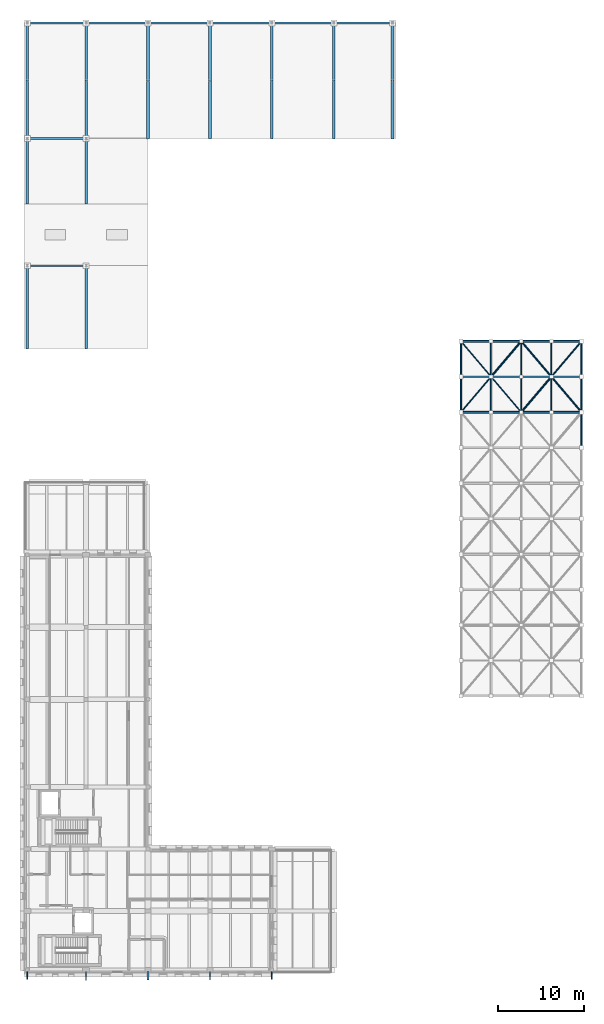
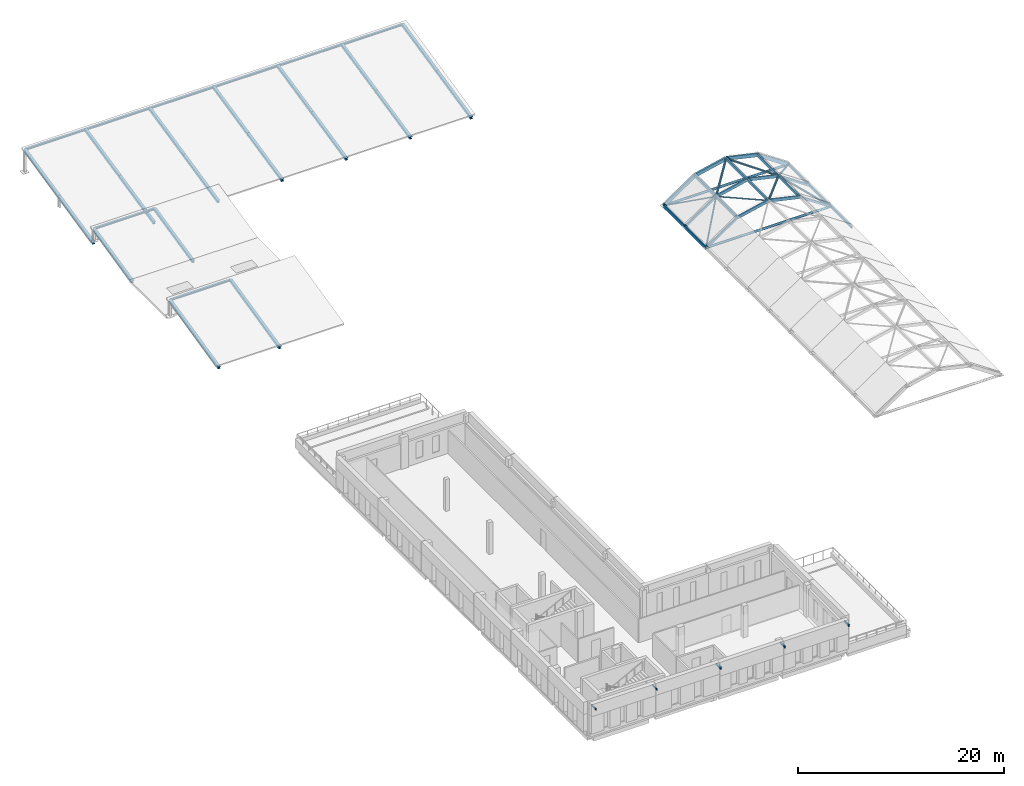
# One storey, part 7 of 15: 38 members, 26 beams.
"""IFC4 building model written with IfcOpenShell, lengths in metres."""

import ifcopenshell
import ifcopenshell.guid

model = None  # the IFC model being written
_history = None  # IfcOwnerHistory: only IFC2X3 demands one
_inside = {}  # id of a spatial element -> (the spatial element, [elements in it])
_under = {}  # id of a project, library or spatial element -> (it, [spatial elements below it])
_declared = {}  # id of a project -> (the project, [libraries it declares])
_typed = {}  # id of a type object -> (the type object, [elements of that type])
_made_of = {}  # id of a material, layer set ... -> (it, [elements and type objects made of it])


def new_model(schema):
    """Start an empty IFC model of exactly this schema.

    Asked for "IFC4X3", IfcOpenShell would pick the latest addendum, in which some entities
    have other attributes; the version numbers below select the first issue.
    IFC2X3 requires an IfcOwnerHistory on every rooted entity: one is made here for all.
    """
    global model, _history
    if schema == "IFC4X3":
        model = ifcopenshell.file(schema_version=(4, 3, 0, 0))
    else:
        model = ifcopenshell.file(schema=schema)
    _inside.clear()
    _under.clear()
    _declared.clear()
    _typed.clear()
    _made_of.clear()
    _history = None
    if model.schema == "IFC2X3":
        org = make("IfcOrganization", Name="unknown")
        user = make(
            "IfcPersonAndOrganization",
            ThePerson=make("IfcPerson", FamilyName="unknown"),
            TheOrganization=org,
        )
        app = make(
            "IfcApplication",
            ApplicationDeveloper=org,
            Version="unknown",
            ApplicationFullName="unknown",
            ApplicationIdentifier="unknown",
        )
        _history = make(
            "IfcOwnerHistory",
            OwningUser=user,
            OwningApplication=app,
            ChangeAction="ADDED",
            CreationDate=0,
        )
    return model


def make(cls, **values):
    """One entity of the class cls with the attributes given. An attribute that is None is left unset."""
    return model.create_entity(
        cls, **{name: value for name, value in values.items() if value is not None}
    )


def rooted(cls, **values):
    """An entity with a GlobalId (a new one), such as an element, a storey or a relation."""
    return make(cls, GlobalId=ifcopenshell.guid.new(), OwnerHistory=_history, **values)


def si_unit(unit_type, name, prefix=None):
    """IfcSIUnit, for example si_unit("LENGTHUNIT", "METRE", prefix="MILLI")."""
    return make("IfcSIUnit", UnitType=unit_type, Prefix=prefix, Name=name)


def assignment(units):
    """IfcUnitAssignment: the units of a project."""
    return None if units is None else make("IfcUnitAssignment", Units=units)


def point(xyz):
    """IfcCartesianPoint."""
    return None if xyz is None else make("IfcCartesianPoint", Coordinates=xyz)


def direction(xyz):
    """IfcDirection."""
    return None if xyz is None else make("IfcDirection", DirectionRatios=xyz)


def frame(location, z_axis=None, x_axis=None):
    """IfcAxis2Placement3D, a coordinate frame: its origin and axes. An axis left out is left unset."""
    return make(
        "IfcAxis2Placement3D",
        Location=point(location),
        Axis=direction(z_axis),
        RefDirection=direction(x_axis),
    )


def frame_2d(location, x_axis=None):
    """IfcAxis2Placement2D, a coordinate frame in the plane: its origin and x axis."""
    return make(
        "IfcAxis2Placement2D", Location=point(location), RefDirection=direction(x_axis)
    )


def origin():
    """The frame at (0, 0, 0) with its axes left unset."""
    return frame((0.0, 0.0, 0.0))


def origin_2d():
    """The frame at (0, 0) in the plane with its x axis left unset."""
    return frame_2d((0.0, 0.0))


def place(relative_to, where):
    """IfcLocalPlacement: puts the frame where relative to a parent placement (None: the world)."""
    return make(
        "IfcLocalPlacement", PlacementRelTo=relative_to, RelativePlacement=where
    )


def context(
    kind, dimensions, precision=None, world=None, true_north=None, identifier=None
):
    """IfcGeometricRepresentationContext, for example the 3D "Model" context."""
    return make(
        "IfcGeometricRepresentationContext",
        ContextIdentifier=identifier,
        ContextType=kind,
        CoordinateSpaceDimension=dimensions,
        Precision=precision,
        WorldCoordinateSystem=world,
        TrueNorth=true_north,
    )


def subcontext(parent, identifier, kind, view, scale=None):
    """IfcGeometricRepresentationSubContext, for example "Body" below "Model"."""
    return make(
        "IfcGeometricRepresentationSubContext",
        ContextIdentifier=identifier,
        ContextType=kind,
        ParentContext=parent,
        TargetScale=scale,
        TargetView=view,
    )


def project(units=None, contexts=None):
    """IfcProject with its units and contexts."""
    return rooted(
        "IfcProject",
        Name="project",
        RepresentationContexts=contexts,
        UnitsInContext=assignment(units),
    )


def spatial(cls, under=None, at=None, **own):
    """A site, building, storey or space (cls), placed at a placement, below another one or the project."""
    s = rooted(cls, ObjectPlacement=at, **own)
    if under is not None:
        _under.setdefault(under.id(), (under, []))[1].append(s)
    return s


def profile(cls, at=None, kind="AREA", **sizes):
    """A parametric profile (cls). Its sizes go by their IFC names, for example OverallWidth=200.0."""
    return make(cls, ProfileType=kind, Position=at, **sizes)


def rectangle(**sizes):
    """IfcRectangleProfileDef."""
    return profile("IfcRectangleProfileDef", **sizes)


def hollow_rectangle(**sizes):
    """IfcRectangleHollowProfileDef."""
    return profile("IfcRectangleHollowProfileDef", **sizes)


def hollow_circle(**sizes):
    """IfcCircleHollowProfileDef."""
    return profile("IfcCircleHollowProfileDef", **sizes)


def i_section(**sizes):
    """IfcIShapeProfileDef."""
    return profile("IfcIShapeProfileDef", **sizes)


def extrude(swept, where, along, depth):
    """IfcExtrudedAreaSolid: the profile swept, set in the frame where, extruded along a direction by depth."""
    return make(
        "IfcExtrudedAreaSolid",
        SweptArea=swept,
        Position=where,
        ExtrudedDirection=direction(along),
        Depth=depth,
    )


def shape(context_of_items, identifier, shape_type, items):
    """IfcShapeRepresentation: the items that make up one representation, for example the "Body"."""
    return make(
        "IfcShapeRepresentation",
        ContextOfItems=context_of_items,
        RepresentationIdentifier=identifier,
        RepresentationType=shape_type,
        Items=items,
    )


def material(Name=None, Category=None):
    """IfcMaterial."""
    return make("IfcMaterial", Name=Name, Category=Category)


def material_profile(
    of_material, cross_section, Name=None, Category=None, Priority=None
):
    """IfcMaterialProfile: a cross section and its material."""
    return make(
        "IfcMaterialProfile",
        Name=Name,
        Material=of_material,
        Profile=cross_section,
        Priority=Priority,
        Category=Category,
    )


def profile_set(profiles, Name=None, composite=None):
    """IfcMaterialProfileSet."""
    return make(
        "IfcMaterialProfileSet",
        Name=Name,
        MaterialProfiles=profiles,
        CompositeProfile=composite,
    )


def made_of(thing, what):
    """Note that an element or type object is made of a material, layer set ...; save() writes the relation."""
    if what is not None:
        _made_of.setdefault(what.id(), (what, []))[1].append(thing)
    return thing


def type_object(cls, material=None, **own):
    """A type object (cls), such as IfcWallType, which elements share."""
    return made_of(rooted(cls, **own), material)


def element(
    cls,
    number,
    at=None,
    inside=None,
    cuts=None,
    type_object=None,
    material=None,
    context=None,
    identifier="Body",
    shape_type=None,
    held_by="IfcProductDefinitionShape",
    body=None,
    shapes=None,
    **own,
):
    """One element of the class cls, such as IfcWall. Its Tag is "e" and its number.

    at: its placement. inside: the storey or other place that contains it. cuts: it is an
    opening in that element (IfcRelVoidsElement). A single representation is given by context,
    identifier, shape_type and body (its items); several are given by shapes. held_by: the class
    of the entity that holds the representations. save() writes the other relations.
    """
    e = rooted(cls, Tag="e%d" % number, ObjectPlacement=at, **own)
    if body is not None:
        shapes = [shape(context, identifier, shape_type, body)]
    if shapes is not None:
        e.Representation = make(held_by, Representations=shapes)
    if inside is not None:
        _inside.setdefault(inside.id(), (inside, []))[1].append(e)
    if cuts is not None:
        rooted(
            "IfcRelVoidsElement", RelatingBuildingElement=cuts, RelatedOpeningElement=e
        )
    if type_object is not None:
        _typed.setdefault(type_object.id(), (type_object, []))[1].append(e)
    return made_of(e, material)


def aggregate(whole, parts):
    """IfcRelAggregates: a whole, such as a stair, and the parts it consists of."""
    return rooted("IfcRelAggregates", RelatingObject=whole, RelatedObjects=parts)


def save(model, path):
    """Write the relations noted so far, then the file.

    IfcRelAggregates (storeys below a building ...), IfcRelContainedInSpatialStructure (elements
    in a storey), IfcRelDefinesByType, IfcRelAssociatesMaterial and IfcRelDeclares: one each for
    every whole, place, type object, material and project.
    """
    for whole, parts in _under.values():
        aggregate(whole, parts)
    for where, things in _inside.values():
        rooted(
            "IfcRelContainedInSpatialStructure",
            RelatedElements=things,
            RelatingStructure=where,
        )
    for kind, things in _typed.values():
        rooted("IfcRelDefinesByType", RelatedObjects=things, RelatingType=kind)
    for what, things in _made_of.values():
        rooted("IfcRelAssociatesMaterial", RelatedObjects=things, RelatingMaterial=what)
    for by, libraries in _declared.values():
        rooted("IfcRelDeclares", RelatingContext=by, RelatedDefinitions=libraries)
    model.write(path)


model = new_model("IFC4")

# Units and contexts
model_context = context("Model", 3, precision=1e-05, world=origin(), true_north=direction((0.0, 1.0)))
body_context = subcontext(model_context, "Body", "Model", "MODEL_VIEW")
ifc_project = project(units=[si_unit("LENGTHUNIT", "METRE"), si_unit("AREAUNIT", "SQUARE_METRE"), si_unit("VOLUMEUNIT", "CUBIC_METRE"), si_unit("PLANEANGLEUNIT", "RADIAN"), si_unit("MASSUNIT", "GRAM", prefix="KILO")], contexts=[model_context])

# Site, building, storey
site_placement = place(None, origin())
site = spatial("IfcSite", under=ifc_project, at=site_placement, CompositionType="ELEMENT")
building_placement = place(site_placement, origin())
building = spatial("IfcBuilding", under=site, at=building_placement, Name="Vardoun Plaza Health Centre", CompositionType="ELEMENT")
storey_placement = place(building_placement, frame((0.0, 0.0, 17.10009765625)))
storey = spatial("IfcBuildingStorey", under=building, at=storey_placement, Name="L04", CompositionType="ELEMENT", Elevation=17.10009765625)

# Beams
ifc_material_1 = material(Name="Steel S355J2", Category="steel")
ifc_material_profile_1 = material_profile(ifc_material_1, i_section(OverallWidth=0.219970703125, OverallDepth=0.2099609375, WebThickness=0.007080078125, FlangeThickness=0.010986328125, FilletRadius=0.01806640625, at=origin_2d()), Name="HEA 220")
ifc_profile_set_1 = profile_set([ifc_material_profile_1], Name="Steel S355J2")
beam_type_1 = type_object("IfcBeamType", Name="SB-08", PredefinedType="BEAM", material=ifc_profile_set_1)
for number, where, z_axis, x_axis, name in (
    (1, (4.8798828125, 86.699951171875, 1.869873046875), (1.0, 0.0, 0.0), (0.0, 1.0, 0.0), "V3 Sawtooth Ridge Beam 1.1"),
    (2, (4.8798828125, 101.47998046875, 1.369873046875), (1.0, 0.0, 0.0), (0.0, 1.0, 0.0), "V3 Sawtooth Ridge Beam 2.1"),
    (3, (4.8798828125, 114.919921875, 2.619873046875), (1.0, 0.0, 0.0), (0.0, 1.0, 0.0), "V3 Sawtooth Ridge Beam 3.1"),
):
    element("IfcBeam", number, at=place(storey_placement, frame(where, z_axis=z_axis, x_axis=x_axis)), inside=storey, type_object=beam_type_1, Name=name, PredefinedType="BEAM", context=body_context, shape_type="SweptSolid", body=[
        extrude(i_section(OverallWidth=0.219970703125, OverallDepth=0.2099609375, WebThickness=0.007080078125, FlangeThickness=0.010986328125, FilletRadius=0.01806640625, at=origin_2d()), origin(), (0.0, 0.0, 1.0), 6.820068359375),
    ])
beam_1_placement = place(storey_placement, frame((11.699951171875, 114.919921875, 2.619873046875), z_axis=(1.0, 0.0, 0.0), x_axis=(0.0, 1.0, 0.0)))
element("IfcBeam", 4, at=beam_1_placement, inside=storey, type_object=beam_type_1, Name="V3 Sawtooth Ridge Beam 3.2", PredefinedType="BEAM", context=body_context, shape_type="SweptSolid", body=[
    extrude(i_section(OverallWidth=0.219970703125, OverallDepth=0.2099609375, WebThickness=0.007080078125, FlangeThickness=0.010986328125, FilletRadius=0.01806640625, at=origin_2d()), origin(), (0.0, 0.0, 1.0), 7.199951171875),
])
beam_2_placement = place(storey_placement, frame((18.89990234375, 114.919921875, 2.619873046875), z_axis=(1.0, 0.0, 0.0), x_axis=(0.0, 1.0, 0.0)))
element("IfcBeam", 5, at=beam_2_placement, inside=storey, type_object=beam_type_1, Name="V3 Sawtooth Ridge Beam 3.3", PredefinedType="BEAM", context=body_context, shape_type="SweptSolid", body=[
    extrude(i_section(OverallWidth=0.219970703125, OverallDepth=0.2099609375, WebThickness=0.007080078125, FlangeThickness=0.010986328125, FilletRadius=0.01806640625, at=origin_2d()), origin(), (0.0, 0.0, 1.0), 7.2001953125),
])
for number, where, z_axis, x_axis, name in (
    (6, (26.10009765625, 114.919921875, 2.619873046875), (1.0, 0.0, 0.0), (0.0, 1.0, 0.0), "V3 Sawtooth Ridge Beam 3.4"),
    (7, (33.300048828125, 114.919921875, 2.619873046875), (1.0, 0.0, 0.0), (0.0, 1.0, 0.0), "V3 Sawtooth Ridge Beam 3.5"),
):
    element("IfcBeam", number, at=place(storey_placement, frame(where, z_axis=z_axis, x_axis=x_axis)), inside=storey, type_object=beam_type_1, Name=name, PredefinedType="BEAM", context=body_context, shape_type="SweptSolid", body=[
        extrude(i_section(OverallWidth=0.219970703125, OverallDepth=0.2099609375, WebThickness=0.007080078125, FlangeThickness=0.010986328125, FilletRadius=0.01806640625, at=origin_2d()), origin(), (0.0, 0.0, 1.0), 7.199951171875),
    ])
beam_3_placement = place(storey_placement, frame((40.5, 114.919921875, 2.619873046875), z_axis=(1.0, 0.0, 0.0), x_axis=(0.0, 1.0, 0.0)))
element("IfcBeam", 8, at=beam_3_placement, inside=storey, type_object=beam_type_1, Name="V3 Sawtooth Ridge Beam 3.6", PredefinedType="BEAM", context=body_context, shape_type="SweptSolid", body=[
    extrude(i_section(OverallWidth=0.219970703125, OverallDepth=0.2099609375, WebThickness=0.007080078125, FlangeThickness=0.010986328125, FilletRadius=0.01806640625, at=origin_2d()), origin(), (0.0, 0.0, 1.0), 6.820068359375),
])
ifc_material_2 = material(Name="Steel S355J2", Category="steel")
ifc_material_profile_2 = material_profile(ifc_material_2, i_section(OverallWidth=0.300048828125, OverallDepth=0.2900390625, WebThickness=0.008544921875, FlangeThickness=0.013916015625, FilletRadius=0.027099609375, at=origin_2d()), Name="HEA 300")
ifc_profile_set_2 = profile_set([ifc_material_profile_2], Name="Steel S355J2")
beam_type_2 = type_object("IfcBeamType", Name="SB-05", PredefinedType="BEAM", material=ifc_profile_set_2)
for number, where, z_axis, x_axis, name in (
    (9, (4.8798828125, 77.06005859375, -0.35009765625), (0.0, 0.974493420129, 0.224416073679), (-1.0, 0.0, 0.0), "V3 Sawtooth Rafter 1.1"),
    (10, (11.699951171875, 77.06005859375, -0.35009765625), (0.0, 0.974493420129, 0.224416073679), (-1.0, 0.0, 0.0), "V3 Sawtooth Rafter 1.2"),
):
    element("IfcBeam", number, at=place(storey_placement, frame(where, z_axis=z_axis, x_axis=x_axis)), inside=storey, type_object=beam_type_2, Name=name, PredefinedType="BEAM", context=body_context, shape_type="SweptSolid", body=[
        extrude(i_section(OverallWidth=0.300048828125, OverallDepth=0.2900390625, WebThickness=0.008544921875, FlangeThickness=0.013916015625, FilletRadius=0.027099609375, at=origin_2d()), origin(), (0.0, 0.0, 1.0), 9.89208984375),
    ])
for number, where, z_axis, x_axis, name in (
    (11, (4.8798828125, 93.900146484375, -0.35009765625), (0.0, 0.975208394589, 0.22128847038), (-1.0, 0.0, 0.0), "V3 Sawtooth Rafter 2.1"),
    (12, (11.699951171875, 93.900146484375, -0.35009765625), (0.0, 0.975208394589, 0.22128847038), (-1.0, 0.0, 0.0), "V3 Sawtooth Rafter 2.2"),
):
    element("IfcBeam", number, at=place(storey_placement, frame(where, z_axis=z_axis, x_axis=x_axis)), inside=storey, type_object=beam_type_2, Name=name, PredefinedType="BEAM", context=body_context, shape_type="SweptSolid", body=[
        extrude(i_section(OverallWidth=0.300048828125, OverallDepth=0.2900390625, WebThickness=0.008544921875, FlangeThickness=0.013916015625, FilletRadius=0.027099609375, at=origin_2d()), origin(), (0.0, 0.0, 1.0), 7.7724609375),
    ])
for number, where, z_axis, x_axis, name in (
    (13, (4.8798828125, 101.47998046875, -0.35009765625), (0.0, 0.976439310014, 0.215792200647), (-1.0, 0.0, 0.0), "V3 Sawtooth Rafter 3A.1"),
    (14, (4.8798828125, 108.199951171875, 1.135009765625), (0.0, 0.976446784274, 0.215758377546), (-1.0, 0.0, 0.0), "V3 Sawtooth Rafter 3B.1"),
    (15, (11.699951171875, 101.47998046875, -0.35009765625), (0.0, 0.976439310014, 0.215792200647), (-1.0, 0.0, 0.0), "V3 Sawtooth Rafter 3A.2"),
    (16, (11.699951171875, 108.199951171875, 1.135009765625), (0.0, 0.976446784274, 0.215758377546), (-1.0, 0.0, 0.0), "V3 Sawtooth Rafter 3B.2"),
    (17, (18.89990234375, 101.47998046875, -0.35009765625), (0.0, 0.976439310014, 0.215792200647), (-1.0, 0.0, 0.0), "V3 Sawtooth Rafter 3A.3"),
    (18, (18.89990234375, 108.199951171875, 1.135009765625), (0.0, 0.976446784274, 0.215758377546), (-1.0, 0.0, 0.0), "V3 Sawtooth Rafter 3B.3"),
    (19, (26.10009765625, 101.47998046875, -0.35009765625), (0.0, 0.976439310014, 0.215792200647), (-1.0, 0.0, 0.0), "V3 Sawtooth Rafter 3A.4"),
    (20, (26.10009765625, 108.199951171875, 1.135009765625), (0.0, 0.976446784274, 0.215758377546), (-1.0, 0.0, 0.0), "V3 Sawtooth Rafter 3B.4"),
    (21, (33.300048828125, 101.47998046875, -0.35009765625), (0.0, 0.976439310014, 0.215792200647), (-1.0, 0.0, 0.0), "V3 Sawtooth Rafter 3A.5"),
    (22, (33.300048828125, 108.199951171875, 1.135009765625), (0.0, 0.976446784274, 0.215758377546), (-1.0, 0.0, 0.0), "V3 Sawtooth Rafter 3B.5"),
    (23, (40.5, 101.47998046875, -0.35009765625), (0.0, 0.976439310014, 0.215792200647), (-1.0, 0.0, 0.0), "V3 Sawtooth Rafter 3A.6"),
    (24, (40.5, 108.199951171875, 1.135009765625), (0.0, 0.976446784274, 0.215758377546), (-1.0, 0.0, 0.0), "V3 Sawtooth Rafter 3B.6"),
    (25, (47.320068359375, 101.47998046875, -0.35009765625), (0.0, 0.976439310014, 0.215792200647), (-1.0, 0.0, 0.0), "V3 Sawtooth Rafter 3A.7"),
    (26, (47.320068359375, 108.199951171875, 1.135009765625), (0.0, 0.976446784274, 0.215758377546), (-1.0, 0.0, 0.0), "V3 Sawtooth Rafter 3B.7"),
):
    element("IfcBeam", number, at=place(storey_placement, frame(where, z_axis=z_axis, x_axis=x_axis)), inside=storey, type_object=beam_type_2, Name=name, PredefinedType="BEAM", context=body_context, shape_type="SweptSolid", body=[
        extrude(i_section(OverallWidth=0.300048828125, OverallDepth=0.2900390625, WebThickness=0.008544921875, FlangeThickness=0.013916015625, FilletRadius=0.027099609375, at=origin_2d()), origin(), (0.0, 0.0, 1.0), 6.882080078125),
    ])

# Members
ifc_material_3 = material(Name="Steel S355J2", Category="steel")
ifc_material_profile_3 = material_profile(ifc_material_3, i_section(OverallWidth=0.1201171875, OverallDepth=0.239990234375, WebThickness=0.006103515625, FlangeThickness=0.009765625, FilletRadius=0.014892578125, at=origin_2d()), Name="IPE 240")
ifc_profile_set_3 = profile_set([ifc_material_profile_3], Name="Steel S355J2")
member_type_1 = type_object("IfcMemberType", Name="CR-01", PredefinedType="RAFTER", material=ifc_profile_set_3)
member_1_placement = place(storey_placement, frame((26.10009765625, 4.64990234375, 3.52001953125), z_axis=(0.0, -1.0, 0.0), x_axis=(1.0, 0.0, 0.0)))
element("IfcMember", 27, at=member_1_placement, inside=storey, type_object=member_type_1, Name="V2 L04 South Facade Shading Fin Arm SH-V2-L04-030", PredefinedType="RAFTER", context=body_context, shape_type="SweptSolid", body=[
    extrude(i_section(OverallWidth=0.1201171875, OverallDepth=0.239990234375, WebThickness=0.006103515625, FlangeThickness=0.009765625, FilletRadius=0.014892578125, at=origin_2d()), origin(), (0.0, 0.0, 1.0), 0.949951171875),
])
ifc_material_4 = material(Name="Steel S355J2", Category="steel")
ifc_material_profile_4 = material_profile(ifc_material_4, i_section(OverallWidth=0.110107421875, OverallDepth=0.219970703125, WebThickness=0.005859375, FlangeThickness=0.00927734375, FilletRadius=0.011962890625, at=origin_2d()), Name="IPE 220")
ifc_profile_set_4 = profile_set([ifc_material_profile_4], Name="Steel S355J2")
member_type_2 = type_object("IfcMemberType", Name="CR-02", PredefinedType="RAFTER", material=ifc_profile_set_4)
member_2_placement = place(storey_placement, frame((33.300048828125, 4.699951171875, 3.52001953125), z_axis=(0.0, -1.0, 0.0), x_axis=(1.0, 0.0, 0.0)))
element("IfcMember", 28, at=member_2_placement, inside=storey, type_object=member_type_2, Name="V2 L04 South Facade Shading Fin Arm SH-V2-L04-031", PredefinedType="RAFTER", context=body_context, shape_type="SweptSolid", body=[
    extrude(i_section(OverallWidth=0.110107421875, OverallDepth=0.219970703125, WebThickness=0.005859375, FlangeThickness=0.00927734375, FilletRadius=0.011962890625, at=origin_2d()), origin(), (0.0, 0.0, 1.0), 0.949951171875),
])
ifc_material_5 = material(Name="Steel S355J2", Category="steel")
ifc_material_profile_5 = material_profile(ifc_material_5, i_section(OverallWidth=0.10009765625, OverallDepth=0.199951171875, WebThickness=0.005615234375, FlangeThickness=0.008544921875, FilletRadius=0.011962890625, at=origin_2d()), Name="IPE 200")
ifc_profile_set_5 = profile_set([ifc_material_profile_5], Name="Steel S355J2")
member_type_3 = type_object("IfcMemberType", Name="CR-03", PredefinedType="RAFTER", material=ifc_profile_set_5)
member_3_placement = place(storey_placement, frame((4.8798828125, 4.699951171875, 3.52001953125), z_axis=(0.0, -1.0, 0.0), x_axis=(1.0, 0.0, 0.0)))
element("IfcMember", 29, at=member_3_placement, inside=storey, type_object=member_type_3, Name="V2 L04 South Facade Shading Fin Arm SH-V2-L04-027", PredefinedType="RAFTER", context=body_context, shape_type="SweptSolid", body=[
    extrude(i_section(OverallWidth=0.10009765625, OverallDepth=0.199951171875, WebThickness=0.005615234375, FlangeThickness=0.008544921875, FilletRadius=0.011962890625, at=origin_2d()), origin(), (0.0, 0.0, 1.0), 0.949951171875),
])
ifc_material_6 = material(Name="Steel S355J2", Category="steel")
ifc_material_profile_6 = material_profile(ifc_material_6, i_section(OverallWidth=0.091064453125, OverallDepth=0.179931640625, WebThickness=0.00537109375, FlangeThickness=0.008056640625, FilletRadius=0.009033203125, at=origin_2d()), Name="IPE 180")
ifc_profile_set_6 = profile_set([ifc_material_profile_6], Name="Steel S355J2")
member_type_4 = type_object("IfcMemberType", Name="CR-04", PredefinedType="RAFTER", material=ifc_profile_set_6)
member_4_placement = place(storey_placement, frame((11.699951171875, 4.625, 3.52001953125), z_axis=(0.0, -1.0, 0.0), x_axis=(1.0, 0.0, 0.0)))
element("IfcMember", 30, at=member_4_placement, inside=storey, type_object=member_type_4, Name="V2 L04 South Facade Shading Fin Arm SH-V2-L04-028", PredefinedType="RAFTER", context=body_context, shape_type="SweptSolid", body=[
    extrude(i_section(OverallWidth=0.091064453125, OverallDepth=0.179931640625, WebThickness=0.00537109375, FlangeThickness=0.008056640625, FilletRadius=0.009033203125, at=origin_2d()), origin(), (0.0, 0.0, 1.0), 0.949951171875),
])
ifc_material_7 = material(Name="Steel S355J2", Category="steel")
ifc_material_profile_7 = material_profile(ifc_material_7, i_section(OverallWidth=0.199951171875, OverallDepth=0.18994140625, WebThickness=0.006591796875, FlangeThickness=0.010009765625, FilletRadius=0.01806640625, at=origin_2d()), Name="HEA 200")
ifc_profile_set_7 = profile_set([ifc_material_profile_7], Name="Steel S355J2")
member_type_5 = type_object("IfcMemberType", Name="CR-05", PredefinedType="RAFTER", material=ifc_profile_set_7)
member_5_placement = place(storey_placement, frame((18.89990234375, 4.64990234375, 3.52001953125), z_axis=(0.0, -1.0, 0.0), x_axis=(1.0, 0.0, 0.0)))
element("IfcMember", 31, at=member_5_placement, inside=storey, type_object=member_type_5, Name="V2 L04 South Facade Shading Fin Arm SH-V2-L04-029", PredefinedType="RAFTER", context=body_context, shape_type="SweptSolid", body=[
    extrude(i_section(OverallWidth=0.199951171875, OverallDepth=0.18994140625, WebThickness=0.006591796875, FlangeThickness=0.010009765625, FilletRadius=0.01806640625, at=origin_2d()), origin(), (0.0, 0.0, 1.0), 0.949951171875),
])
ifc_material_8 = material(Name="Glulam GL28h", Category="wood")
ifc_material_profile_8 = material_profile(ifc_material_8, rectangle(XDim=0.179931640625, YDim=0.360107421875, at=origin_2d()), Name="GL28h 180x360")
ifc_profile_set_8 = profile_set([ifc_material_profile_8], Name="Glulam GL28h")
member_type_6 = type_object("IfcMemberType", Name="GP-03", PredefinedType="PURLIN", material=ifc_profile_set_8)
member_6_placement = place(storey_placement, frame((55.27001953125, 69.672119140625, 0.75), z_axis=(0.0, 1.0, 0.0), x_axis=(-1.0, 0.0, 0.0)))
element("IfcMember", 32, at=member_6_placement, inside=storey, type_object=member_type_6, Name="Gridshell Glulam Purlin GP-03-09", PredefinedType="PURLIN", context=body_context, shape_type="SweptSolid", body=[
    extrude(rectangle(XDim=0.179931640625, YDim=0.360107421875, at=origin_2d()), origin(), (0.0, 0.0, 1.0), 4.123779296875),
])
member_7_placement = place(storey_placement, frame((55.27001953125, 73.7958984375, 0.75), z_axis=(0.0, 1.0, 0.0), x_axis=(-1.0, 0.0, 0.0)))
element("IfcMember", 33, at=member_7_placement, inside=storey, type_object=member_type_6, Name="Gridshell Glulam Purlin GP-03-10", PredefinedType="PURLIN", context=body_context, shape_type="SweptSolid", body=[
    extrude(rectangle(XDim=0.179931640625, YDim=0.360107421875, at=origin_2d()), origin(), (0.0, 0.0, 1.0), 4.1240234375),
])
ifc_material_9 = material(Name="Glulam GL28h", Category="wood")
ifc_material_profile_9 = material_profile(ifc_material_9, rectangle(XDim=0.159912109375, YDim=0.360107421875, at=origin_2d()), Name="GL28h 160x360")
ifc_profile_set_9 = profile_set([ifc_material_profile_9], Name="Glulam GL28h")
member_type_7 = type_object("IfcMemberType", Name="GP-04", PredefinedType="PURLIN", material=ifc_profile_set_9)
member_8_placement = place(storey_placement, frame((58.775146484375, 69.672119140625, 3.1123046875), z_axis=(0.0, 1.0, 0.0), x_axis=(-1.0, 0.0, 0.0)))
element("IfcMember", 34, at=member_8_placement, inside=storey, type_object=member_type_7, Name="Gridshell Glulam Purlin GP-04-09", PredefinedType="PURLIN", context=body_context, shape_type="SweptSolid", body=[
    extrude(rectangle(XDim=0.159912109375, YDim=0.360107421875, at=origin_2d()), origin(), (0.0, 0.0, 1.0), 4.123779296875),
])
member_9_placement = place(storey_placement, frame((58.775146484375, 73.7958984375, 3.1123046875), z_axis=(0.0, 1.0, 0.0), x_axis=(-1.0, 0.0, 0.0)))
element("IfcMember", 35, at=member_9_placement, inside=storey, type_object=member_type_7, Name="Gridshell Glulam Purlin GP-04-10", PredefinedType="PURLIN", context=body_context, shape_type="SweptSolid", body=[
    extrude(rectangle(XDim=0.159912109375, YDim=0.360107421875, at=origin_2d()), origin(), (0.0, 0.0, 1.0), 4.1240234375),
])
ifc_material_10 = material(Name="Glulam GL28h", Category="wood")
ifc_material_profile_10 = material_profile(ifc_material_10, rectangle(XDim=0.159912109375, YDim=0.320068359375, at=origin_2d()), Name="GL28h 160x320")
ifc_profile_set_10 = profile_set([ifc_material_profile_10], Name="Glulam GL28h")
member_type_8 = type_object("IfcMemberType", Name="GP-05", PredefinedType="PURLIN", material=ifc_profile_set_10)
member_10_placement = place(storey_placement, frame((62.280029296875, 69.672119140625, 3.89990234375), z_axis=(0.0, 1.0, 0.0), x_axis=(-1.0, 0.0, 0.0)))
element("IfcMember", 36, at=member_10_placement, inside=storey, type_object=member_type_8, Name="Gridshell Glulam Purlin GP-05-09", PredefinedType="PURLIN", context=body_context, shape_type="SweptSolid", body=[
    extrude(rectangle(XDim=0.159912109375, YDim=0.320068359375, at=origin_2d()), origin(), (0.0, 0.0, 1.0), 4.123779296875),
])
member_11_placement = place(storey_placement, frame((62.280029296875, 73.7958984375, 3.89990234375), z_axis=(0.0, 1.0, 0.0), x_axis=(-1.0, 0.0, 0.0)))
element("IfcMember", 37, at=member_11_placement, inside=storey, type_object=member_type_8, Name="Gridshell Glulam Purlin GP-05-10", PredefinedType="PURLIN", context=body_context, shape_type="SweptSolid", body=[
    extrude(rectangle(XDim=0.159912109375, YDim=0.320068359375, at=origin_2d()), origin(), (0.0, 0.0, 1.0), 4.1240234375),
])
ifc_material_11 = material(Name="Glulam GL28h", Category="wood")
ifc_material_profile_11 = material_profile(ifc_material_11, rectangle(XDim=0.139892578125, YDim=0.320068359375, at=origin_2d()), Name="GL28h 140x320")
ifc_profile_set_11 = profile_set([ifc_material_profile_11], Name="Glulam GL28h")
member_type_9 = type_object("IfcMemberType", Name="GP-06", PredefinedType="PURLIN", material=ifc_profile_set_11)
member_12_placement = place(storey_placement, frame((65.784912109375, 69.672119140625, 3.1123046875), z_axis=(0.0, 1.0, 0.0), x_axis=(-1.0, 0.0, 0.0)))
element("IfcMember", 38, at=member_12_placement, inside=storey, type_object=member_type_9, Name="Gridshell Glulam Purlin GP-06-09", PredefinedType="PURLIN", context=body_context, shape_type="SweptSolid", body=[
    extrude(rectangle(XDim=0.139892578125, YDim=0.320068359375, at=origin_2d()), origin(), (0.0, 0.0, 1.0), 4.123779296875),
])
member_13_placement = place(storey_placement, frame((65.784912109375, 73.7958984375, 3.1123046875), z_axis=(0.0, 1.0, 0.0), x_axis=(-1.0, 0.0, 0.0)))
element("IfcMember", 39, at=member_13_placement, inside=storey, type_object=member_type_9, Name="Gridshell Glulam Purlin GP-06-10", PredefinedType="PURLIN", context=body_context, shape_type="SweptSolid", body=[
    extrude(rectangle(XDim=0.139892578125, YDim=0.320068359375, at=origin_2d()), origin(), (0.0, 0.0, 1.0), 4.1240234375),
])
ifc_material_12 = material(Name="Glulam GL28h", Category="wood")
ifc_material_profile_12 = material_profile(ifc_material_12, rectangle(XDim=0.139892578125, YDim=0.280029296875, at=origin_2d()), Name="GL28h 140x280")
ifc_profile_set_12 = profile_set([ifc_material_profile_12], Name="Glulam GL28h")
member_type_10 = type_object("IfcMemberType", Name="GP-07", PredefinedType="PURLIN", material=ifc_profile_set_12)
member_14_placement = place(storey_placement, frame((69.2900390625, 65.548095703125, 0.75), z_axis=(0.0, 1.0, 0.0), x_axis=(-1.0, 0.0, 0.0)))
element("IfcMember", 40, at=member_14_placement, inside=storey, type_object=member_type_10, Name="Gridshell Glulam Purlin GP-07-08", PredefinedType="PURLIN", context=body_context, shape_type="SweptSolid", body=[
    extrude(rectangle(XDim=0.139892578125, YDim=0.280029296875, at=origin_2d()), origin(), (0.0, 0.0, 1.0), 4.1240234375),
])
member_15_placement = place(storey_placement, frame((69.2900390625, 69.672119140625, 0.75), z_axis=(0.0, 1.0, 0.0), x_axis=(-1.0, 0.0, 0.0)))
element("IfcMember", 41, at=member_15_placement, inside=storey, type_object=member_type_10, Name="Gridshell Glulam Purlin GP-07-09", PredefinedType="PURLIN", context=body_context, shape_type="SweptSolid", body=[
    extrude(rectangle(XDim=0.139892578125, YDim=0.280029296875, at=origin_2d()), origin(), (0.0, 0.0, 1.0), 4.123779296875),
])
member_16_placement = place(storey_placement, frame((69.2900390625, 73.7958984375, 0.75), z_axis=(0.0, 1.0, 0.0), x_axis=(-1.0, 0.0, 0.0)))
element("IfcMember", 42, at=member_16_placement, inside=storey, type_object=member_type_10, Name="Gridshell Glulam Purlin GP-07-10", PredefinedType="PURLIN", context=body_context, shape_type="SweptSolid", body=[
    extrude(rectangle(XDim=0.139892578125, YDim=0.280029296875, at=origin_2d()), origin(), (0.0, 0.0, 1.0), 4.1240234375),
])
ifc_material_13 = material(Name="Steel S355J2H", Category="steel")
ifc_material_profile_13 = material_profile(ifc_material_13, hollow_rectangle(XDim=0.199951171875, YDim=0.39990234375, WallThickness=0.012451171875, at=origin_2d()), Name="RHS 400x200x12.5")
ifc_profile_set_13 = profile_set([ifc_material_profile_13], Name="Steel S355J2H")
member_type_11 = type_object("IfcMemberType", Name="GS-A1", PredefinedType="CHORD", material=ifc_profile_set_13)
member_17_placement = place(storey_placement, frame((55.27001953125, 77.919921875, 0.75), z_axis=(0.829249551826, 0.0, 0.558878502714), x_axis=(0.0, 1.0, 0.0)))
element("IfcMember", 43, at=member_17_placement, inside=storey, type_object=member_type_11, Name="Gridshell Arch Rib GA-11-03", PredefinedType="CHORD", context=body_context, shape_type="SweptSolid", body=[
    extrude(hollow_rectangle(XDim=0.199951171875, YDim=0.39990234375, WallThickness=0.012451171875, at=origin_2d()), origin(), (0.0, 0.0, 1.0), 4.226806640625),
])
for number, where, z_axis, x_axis, name in (
    (44, (58.775146484375, 77.919921875, 3.1123046875), (0.975669394422, 0.0, 0.219246967568), (0.0, 1.0, 0.0), "Gridshell Arch Rib GA-11-04"),
    (45, (65.784912109375, 77.919921875, 3.1123046875), (-0.975669394422, 0.0, 0.219246967568), (0.0, -1.0, 0.0), "Gridshell Arch Rib GA-11-05"),
):
    element("IfcMember", number, at=place(storey_placement, frame(where, z_axis=z_axis, x_axis=x_axis)), inside=storey, type_object=member_type_11, Name=name, PredefinedType="CHORD", context=body_context, shape_type="SweptSolid", body=[
        extrude(hollow_rectangle(XDim=0.199951171875, YDim=0.39990234375, WallThickness=0.012451171875, at=origin_2d()), origin(), (0.0, 0.0, 1.0), 3.59228515625),
    ])
member_18_placement = place(storey_placement, frame((69.2900390625, 77.919921875, 0.75), z_axis=(-0.829249551826, 0.0, 0.558878502714), x_axis=(0.0, -1.0, 0.0)))
element("IfcMember", 46, at=member_18_placement, inside=storey, type_object=member_type_11, Name="Gridshell Arch Rib GA-11-06", PredefinedType="CHORD", context=body_context, shape_type="SweptSolid", body=[
    extrude(hollow_rectangle(XDim=0.199951171875, YDim=0.39990234375, WallThickness=0.012451171875, at=origin_2d()), origin(), (0.0, 0.0, 1.0), 4.226806640625),
])
ifc_material_14 = material(Name="Steel S355J2H", Category="steel")
ifc_material_profile_14 = material_profile(ifc_material_14, hollow_rectangle(XDim=0.14990234375, YDim=0.35009765625, WallThickness=0.010009765625, at=origin_2d()), Name="RHS 350x150x10.0")
ifc_profile_set_14 = profile_set([ifc_material_profile_14], Name="Steel S355J2H")
member_type_12 = type_object("IfcMemberType", Name="GS-A2", PredefinedType="CHORD", material=ifc_profile_set_14)
for number, where, z_axis, x_axis, name in (
    (47, (58.775146484375, 69.672119140625, 3.1123046875), (0.975669394422, 0.0, 0.219246967568), (0.0, 1.0, 0.0), "Gridshell Arch Rib GA-09-04"),
    (48, (65.784912109375, 69.672119140625, 3.1123046875), (-0.975669394422, 0.0, 0.219246967568), (0.0, -1.0, 0.0), "Gridshell Arch Rib GA-09-05"),
    (49, (58.775146484375, 73.7958984375, 3.1123046875), (0.975669394422, 0.0, 0.219246967568), (0.0, 1.0, 0.0), "Gridshell Arch Rib GA-10-04"),
    (50, (65.784912109375, 73.7958984375, 3.1123046875), (-0.975669394422, 0.0, 0.219246967568), (0.0, -1.0, 0.0), "Gridshell Arch Rib GA-10-05"),
):
    element("IfcMember", number, at=place(storey_placement, frame(where, z_axis=z_axis, x_axis=x_axis)), inside=storey, type_object=member_type_12, Name=name, PredefinedType="CHORD", context=body_context, shape_type="SweptSolid", body=[
        extrude(hollow_rectangle(XDim=0.14990234375, YDim=0.35009765625, WallThickness=0.010009765625, at=origin_2d()), origin(), (0.0, 0.0, 1.0), 3.59228515625),
    ])
ifc_material_15 = material(Name="Steel S355J2H", Category="steel")
ifc_material_profile_15 = material_profile(ifc_material_15, hollow_rectangle(XDim=0.14990234375, YDim=0.25, WallThickness=0.010009765625, at=origin_2d()), Name="RHS 250x150x10.0")
ifc_profile_set_15 = profile_set([ifc_material_profile_15], Name="Steel S355J2H")
member_type_13 = type_object("IfcMemberType", Name="GS-A4", PredefinedType="CHORD", material=ifc_profile_set_15)
for number, where, z_axis, x_axis, name in (
    (51, (55.27001953125, 69.672119140625, 0.75), (0.829249551826, 0.0, 0.558878502714), (0.0, 1.0, 0.0), "Gridshell Arch Rib GA-09-03"),
    (52, (69.2900390625, 69.672119140625, 0.75), (-0.829249551826, 0.0, 0.558878502714), (0.0, -1.0, 0.0), "Gridshell Arch Rib GA-09-06"),
    (53, (55.27001953125, 73.7958984375, 0.75), (0.829249551826, 0.0, 0.558878502714), (0.0, 1.0, 0.0), "Gridshell Arch Rib GA-10-03"),
    (54, (69.2900390625, 73.7958984375, 0.75), (-0.829249551826, 0.0, 0.558878502714), (0.0, -1.0, 0.0), "Gridshell Arch Rib GA-10-06"),
):
    element("IfcMember", number, at=place(storey_placement, frame(where, z_axis=z_axis, x_axis=x_axis)), inside=storey, type_object=member_type_13, Name=name, PredefinedType="CHORD", context=body_context, shape_type="SweptSolid", body=[
        extrude(hollow_rectangle(XDim=0.14990234375, YDim=0.25, WallThickness=0.010009765625, at=origin_2d()), origin(), (0.0, 0.0, 1.0), 4.226806640625),
    ])
ifc_material_16 = material(Name="Steel S355J2H", Category="steel")
ifc_material_profile_16 = material_profile(ifc_material_16, hollow_circle(Radius=0.122314453125, WallThickness=0.012451171875, at=origin_2d()), Name="CHS 244.5x12.5")
ifc_profile_set_16 = profile_set([ifc_material_profile_16], Name="Steel S355J2H")
member_type_14 = type_object("IfcMemberType", Name="GS-D1", PredefinedType="BRACE", material=ifc_profile_set_16)
member_19_placement = place(storey_placement, frame((65.784912109375, 73.7958984375, 3.1123046875), z_axis=(-0.640862400426, -0.754026665199, 0.14401101308), x_axis=(0.761969369094, -0.647613063922, 0.0)))
element("IfcMember", 55, at=member_19_placement, inside=storey, type_object=member_type_14, Name="Gridshell Diagonal GD-09-05", PredefinedType="BRACE", context=body_context, shape_type="SweptSolid", body=[
    extrude(hollow_circle(Radius=0.122314453125, WallThickness=0.012451171875, at=origin_2d()), origin(), (0.0, 0.0, 1.0), 5.468994140625),
])
member_20_placement = place(storey_placement, frame((58.775146484375, 73.7958984375, 3.1123046875), z_axis=(0.640840829253, 0.754045924195, 0.144006165727), x_axis=(-0.761988287779, 0.647590803893, 0.0)))
element("IfcMember", 56, at=member_20_placement, inside=storey, type_object=member_type_14, Name="Gridshell Diagonal GD-10-04", PredefinedType="BRACE", context=body_context, shape_type="SweptSolid", body=[
    extrude(hollow_circle(Radius=0.122314453125, WallThickness=0.012451171875, at=origin_2d()), origin(), (0.0, 0.0, 1.0), 5.46923828125),
])
ifc_material_17 = material(Name="Steel S355J2H", Category="steel")
ifc_material_profile_17 = material_profile(ifc_material_17, hollow_circle(Radius=0.109619140625, WallThickness=0.010009765625, at=origin_2d()), Name="CHS 219.1x10.0")
ifc_profile_set_17 = profile_set([ifc_material_profile_17], Name="Steel S355J2H")
member_type_15 = type_object("IfcMemberType", Name="GS-D2", PredefinedType="BRACE", material=ifc_profile_set_17)
member_21_placement = place(storey_placement, frame((69.2900390625, 69.672119140625, 0.75), z_axis=(-0.593561345094, 0.698324488401, 0.400034796624), x_axis=(-0.761947108776, -0.647639254082, 0.0)))
element("IfcMember", 57, at=member_21_placement, inside=storey, type_object=member_type_15, Name="Gridshell Diagonal GD-09-06", PredefinedType="BRACE", context=body_context, shape_type="SweptSolid", body=[
    extrude(hollow_circle(Radius=0.109619140625, WallThickness=0.010009765625, at=origin_2d()), origin(), (0.0, 0.0, 1.0), 5.9052734375),
])
member_22_placement = place(storey_placement, frame((65.784912109375, 73.7958984375, 3.1123046875), z_axis=(-0.640840829253, 0.754045924195, 0.144006165727), x_axis=(-0.761988287779, -0.647590803893, 0.0)))
element("IfcMember", 58, at=member_22_placement, inside=storey, type_object=member_type_15, Name="Gridshell Diagonal GD-10-05", PredefinedType="BRACE", context=body_context, shape_type="SweptSolid", body=[
    extrude(hollow_circle(Radius=0.109619140625, WallThickness=0.010009765625, at=origin_2d()), origin(), (0.0, 0.0, 1.0), 5.46923828125),
])
ifc_material_18 = material(Name="Steel S355J2H", Category="steel")
ifc_material_profile_18 = material_profile(ifc_material_18, hollow_circle(Radius=0.096923828125, WallThickness=0.010009765625, at=origin_2d()), Name="CHS 193.7x10.0")
ifc_profile_set_18 = profile_set([ifc_material_profile_18], Name="Steel S355J2H")
member_type_16 = type_object("IfcMemberType", Name="GS-D3", PredefinedType="BRACE", material=ifc_profile_set_18)
member_23_placement = place(storey_placement, frame((69.2900390625, 77.919921875, 0.75), z_axis=(-0.593544208723, -0.698345669273, 0.400023247448), x_axis=(0.761966028439, -0.647616994453, 0.0)))
element("IfcMember", 59, at=member_23_placement, inside=storey, type_object=member_type_16, Name="Gridshell Diagonal GD-10-06", PredefinedType="BRACE", context=body_context, shape_type="SweptSolid", body=[
    extrude(hollow_circle(Radius=0.096923828125, WallThickness=0.010009765625, at=origin_2d()), origin(), (0.0, 0.0, 1.0), 5.905517578125),
])
ifc_material_19 = material(Name="Steel S355J2H", Category="steel")
ifc_material_profile_19 = material_profile(ifc_material_19, hollow_circle(Radius=0.084228515625, WallThickness=0.008056640625, at=origin_2d()), Name="CHS 168.3x8.0")
ifc_profile_set_19 = profile_set([ifc_material_profile_19], Name="Steel S355J2H")
member_type_17 = type_object("IfcMemberType", Name="GS-D5", PredefinedType="BRACE", material=ifc_profile_set_19)
member_24_placement = place(storey_placement, frame((55.27001953125, 69.672119140625, 0.75), z_axis=(0.593561345094, 0.698324488401, 0.400034796624), x_axis=(-0.761947108776, 0.647639254082, 0.0)))
element("IfcMember", 60, at=member_24_placement, inside=storey, type_object=member_type_17, Name="Gridshell Diagonal GD-09-03", PredefinedType="BRACE", context=body_context, shape_type="SweptSolid", body=[
    extrude(hollow_circle(Radius=0.084228515625, WallThickness=0.008056640625, at=origin_2d()), origin(), (0.0, 0.0, 1.0), 5.9052734375),
])
ifc_material_20 = material(Name="Steel S355J2H", Category="steel")
ifc_material_profile_20 = material_profile(ifc_material_20, hollow_circle(Radius=0.076171875, WallThickness=0.008056640625, at=origin_2d()), Name="CHS 152.4x8.0")
ifc_profile_set_20 = profile_set([ifc_material_profile_20], Name="Steel S355J2H")
member_type_18 = type_object("IfcMemberType", Name="GS-D6", PredefinedType="BRACE", material=ifc_profile_set_20)
member_25_placement = place(storey_placement, frame((58.775146484375, 73.7958984375, 3.1123046875), z_axis=(0.640862400426, -0.754026665199, 0.14401101308), x_axis=(0.761969369094, 0.647613063922, 0.0)))
element("IfcMember", 61, at=member_25_placement, inside=storey, type_object=member_type_18, Name="Gridshell Diagonal GD-09-04", PredefinedType="BRACE", context=body_context, shape_type="SweptSolid", body=[
    extrude(hollow_circle(Radius=0.076171875, WallThickness=0.008056640625, at=origin_2d()), origin(), (0.0, 0.0, 1.0), 5.468994140625),
])
member_26_placement = place(storey_placement, frame((55.27001953125, 77.919921875, 0.75), z_axis=(0.593544208723, -0.698345669273, 0.400023247448), x_axis=(0.761966028439, 0.647616994453, 0.0)))
element("IfcMember", 62, at=member_26_placement, inside=storey, type_object=member_type_18, Name="Gridshell Diagonal GD-10-03", PredefinedType="BRACE", context=body_context, shape_type="SweptSolid", body=[
    extrude(hollow_circle(Radius=0.076171875, WallThickness=0.008056640625, at=origin_2d()), origin(), (0.0, 0.0, 1.0), 5.905517578125),
])
ifc_material_21 = material(Name="Steel S355J2H", Category="steel")
ifc_material_profile_21 = material_profile(ifc_material_21, hollow_circle(Radius=0.136474609375, WallThickness=0.012451171875, at=origin_2d()), Name="CHS 273.0x12.5")
ifc_profile_set_21 = profile_set([ifc_material_profile_21], Name="Steel S355J2H")
member_type_19 = type_object("IfcMemberType", Name="GS-T1", PredefinedType="COLLAR", material=ifc_profile_set_21)
for number, where, z_axis, x_axis, name in (
    (63, (55.27001953125, 69.672119140625, 0.75), (1.0, 0.0, 0.0), (0.0, 1.0, 0.0), "Gridshell Arch Collar Tie 09"),
    (64, (55.27001953125, 77.919921875, 0.75), (1.0, 0.0, 0.0), (0.0, 1.0, 0.0), "Gridshell Arch Collar Tie 11"),
):
    element("IfcMember", number, at=place(storey_placement, frame(where, z_axis=z_axis, x_axis=x_axis)), inside=storey, type_object=member_type_19, Name=name, PredefinedType="COLLAR", context=body_context, shape_type="SweptSolid", body=[
        extrude(hollow_circle(Radius=0.136474609375, WallThickness=0.012451171875, at=origin_2d()), origin(), (0.0, 0.0, 1.0), 14.02001953125),
    ])

save(model, "model.ifc")
